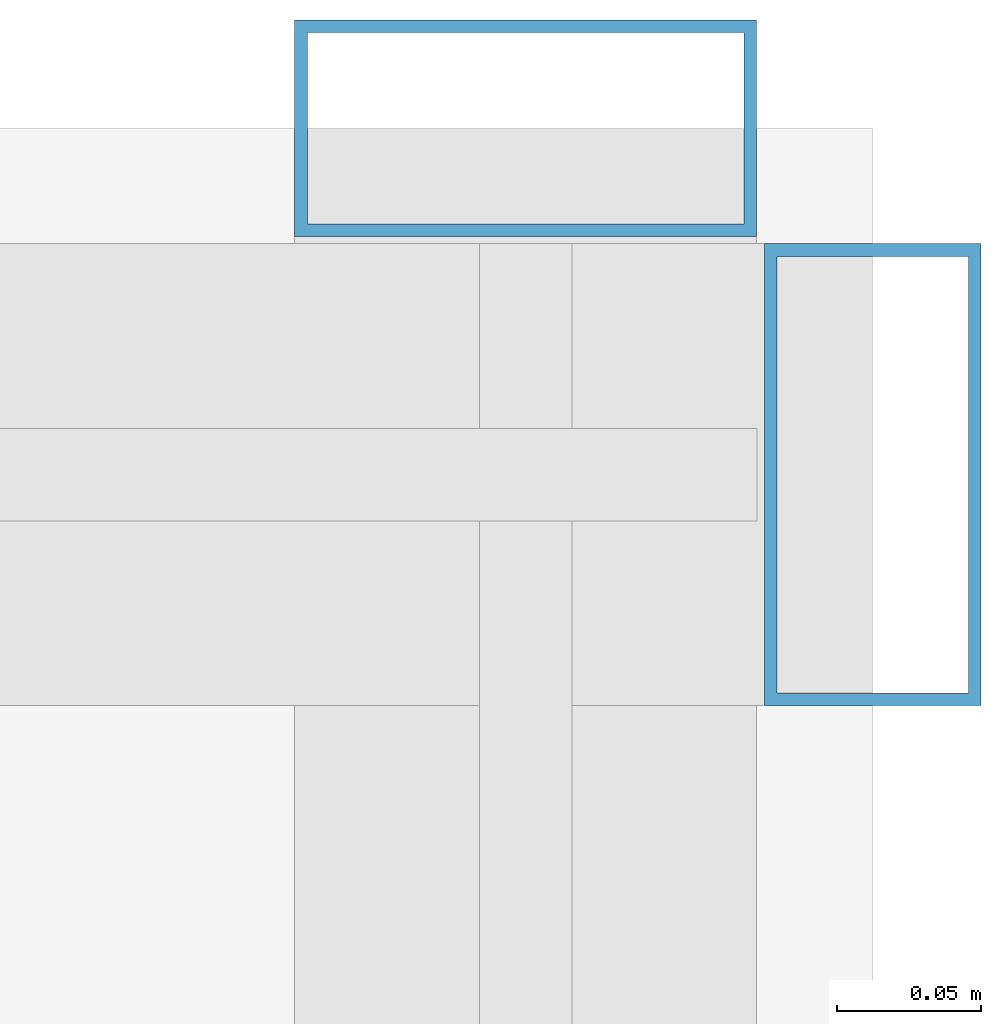
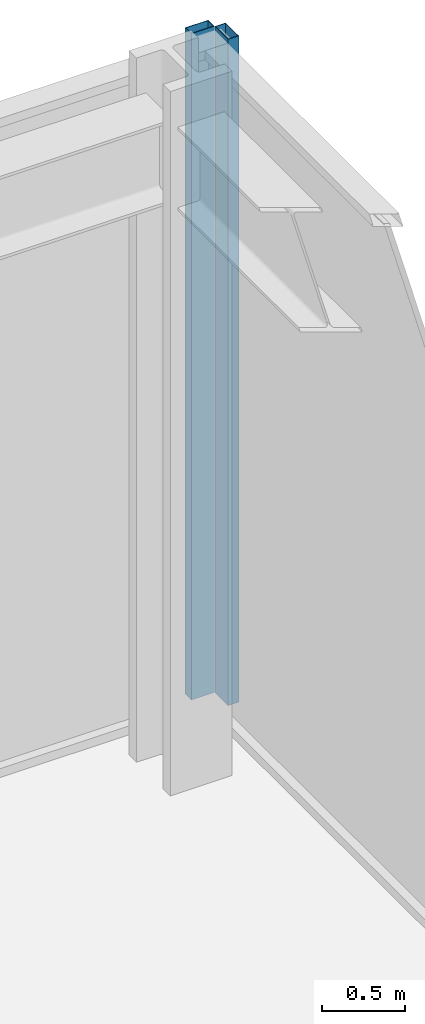
# One storey, part 38 of 49: 2 members, 2 elements without a shape of their own.
"""IFC4 building model written with IfcOpenShell, lengths in metres."""

from ifc_helpers import new_model, si_unit, direction, frame, origin, origin_2d, place, context, subcontext, project, spatial, hollow_rectangle, extrude, material, material_profile, profile_set, type_object, element, aggregate, save


model = new_model("IFC4")

# Units and contexts
model_context = context("Model", 3, precision=1e-05, world=origin(), true_north=direction((0.0, 1.0)))
body_context = subcontext(model_context, "Body", "Model", "MODEL_VIEW")
ifc_project = project(units=[si_unit("LENGTHUNIT", "METRE"), si_unit("AREAUNIT", "SQUARE_METRE"), si_unit("VOLUMEUNIT", "CUBIC_METRE"), si_unit("PLANEANGLEUNIT", "RADIAN"), si_unit("MASSUNIT", "GRAM", prefix="KILO")], contexts=[model_context])

# Site, building, storey
site_placement = place(None, origin())
site = spatial("IfcSite", under=ifc_project, at=site_placement, CompositionType="ELEMENT")
building_placement = place(site_placement, origin())
building = spatial("IfcBuilding", under=site, at=building_placement, Name="Kolvaren Belvedere", CompositionType="ELEMENT")
storey_placement = place(building_placement, frame((0.0, 0.0, 10.0)))
storey = spatial("IfcBuildingStorey", under=building, at=storey_placement, Name="L03", CompositionType="ELEMENT", Elevation=10.0)

# Curtain wall, member
ifc_material_1 = material(Name="Anodised pale-metal aluminium AA 6063-T6", Category="aluminium")
curtain_wall_type = type_object("IfcCurtainWallType", Name="CW-POD-A", PredefinedType="NOTDEFINED", material=ifc_material_1)
curtain_wall_1_placement = place(storey_placement, origin())
curtain_wall_1 = element("IfcCurtainWall", 1, at=curtain_wall_1_placement, inside=storey, type_object=curtain_wall_type, Name="L03 Unitised Curtain Wall FCW-L03-SEG6", PredefinedType="NOTDEFINED")
ifc_material_2 = material(Name="Anodised pale-metal aluminium AA 6063-T6", Category="aluminium")
ifc_material_profile = material_profile(ifc_material_2, hollow_rectangle(XDim=0.074951171875, YDim=0.159912109375, WallThickness=0.00439453125, at=origin_2d()), Name="ALU-MUL-160X75")
ifc_profile_set = profile_set([ifc_material_profile], Name="Anodised pale-metal aluminium AA 6063-T6")
member_type = type_object("IfcMemberType", Name="CW-MUL-160", PredefinedType="MULLION", material=ifc_profile_set)
member_1_placement = place(storey_placement, frame((27.8798828125, 28.39990234375, 0.0), z_axis=(0.0, 0.0, 1.0), x_axis=(0.0, 1.0, 0.0)))
member_1 = element("IfcMember", 2, at=member_1_placement, type_object=member_type, Name="FCW-L03-SEG6 Unitised Mullion 1", PredefinedType="MULLION", context=body_context, shape_type="SweptSolid", body=[
    extrude(hollow_rectangle(XDim=0.074951171875, YDim=0.159912109375, WallThickness=0.00439453125, at=origin_2d()), origin(), (0.0, 0.0, 1.0), 4.919921875),
])
aggregate(curtain_wall_1, [member_1])

curtain_wall_2_placement = place(storey_placement, origin())
curtain_wall_2 = element("IfcCurtainWall", 3, at=curtain_wall_2_placement, inside=storey, type_object=curtain_wall_type, Name="L03 Unitised Curtain Wall FCW-L03-SEG7", PredefinedType="NOTDEFINED")
member_2_placement = place(storey_placement, frame((28.0, 28.280029296875, 0.0), z_axis=(0.0, 0.0, 1.0), x_axis=(1.0, 0.0, 0.0)))
member_2 = element("IfcMember", 4, at=member_2_placement, type_object=member_type, Name="FCW-L03-SEG7 Unitised Mullion 5", PredefinedType="MULLION", context=body_context, shape_type="SweptSolid", body=[
    extrude(hollow_rectangle(XDim=0.074951171875, YDim=0.159912109375, WallThickness=0.00439453125, at=origin_2d()), origin(), (0.0, 0.0, 1.0), 4.919921875),
])
aggregate(curtain_wall_2, [member_2])

save(model, "model.ifc")
